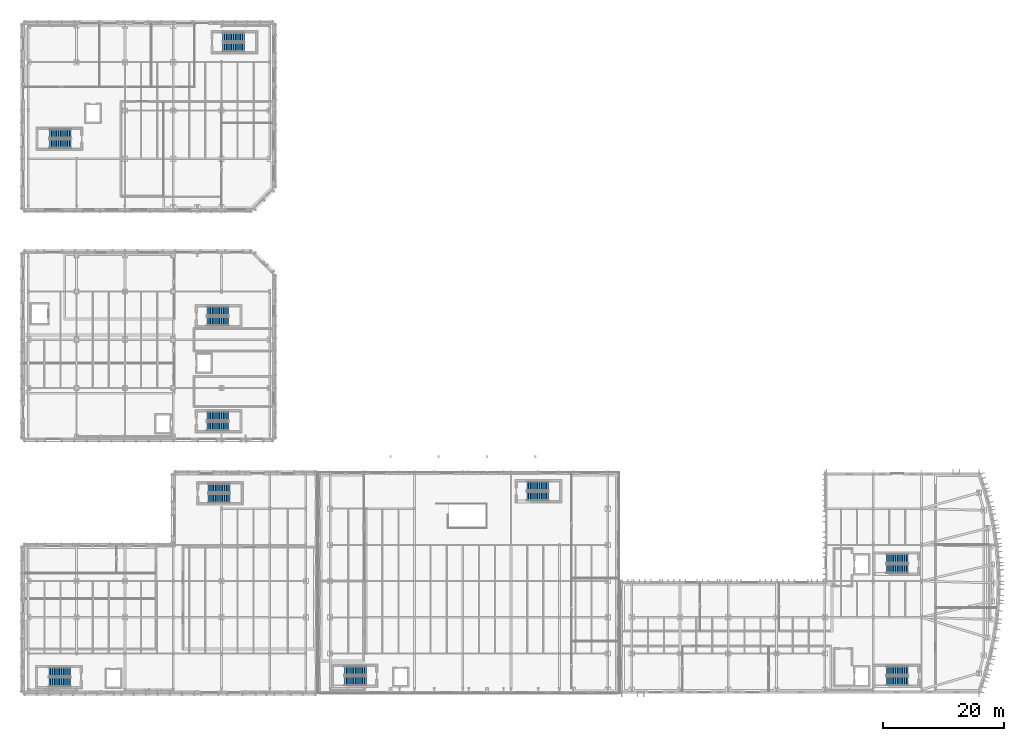
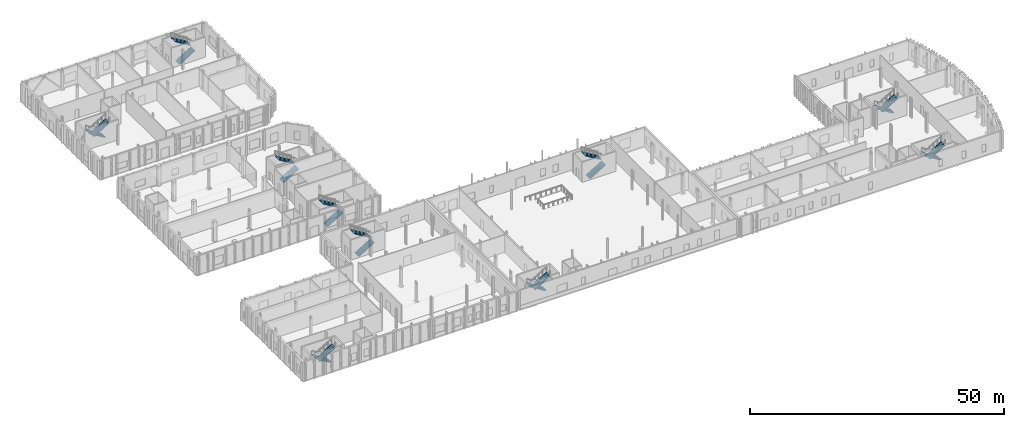
# One storey, part 35 of 60: 20 stair flights, 10 elements without a shape of their own.
"""IFC4 building model written with IfcOpenShell, lengths in metres."""

from ifc_helpers import new_model, si_unit, direction, frame, origin, place, context, subcontext, project, spatial, polyline, outline, extrude, material, type_object, element, aggregate, save


model = new_model("IFC4")

# Units and contexts
model_context = context("Model", 3, precision=1e-05, world=origin(), true_north=direction((0.0, 1.0)))
body_context = subcontext(model_context, "Body", "Model", "MODEL_VIEW")
ifc_project = project(units=[si_unit("LENGTHUNIT", "METRE"), si_unit("AREAUNIT", "SQUARE_METRE"), si_unit("VOLUMEUNIT", "CUBIC_METRE"), si_unit("PLANEANGLEUNIT", "RADIAN"), si_unit("MASSUNIT", "GRAM", prefix="KILO")], contexts=[model_context])

# Site, building, storey
site_placement = place(None, origin())
site = spatial("IfcSite", under=ifc_project, at=site_placement, CompositionType="ELEMENT")
building_placement = place(site_placement, origin())
building = spatial("IfcBuilding", under=site, at=building_placement, Name="Cymarion Research Institute", CompositionType="ELEMENT")
storey_placement = place(building_placement, origin())
storey = spatial("IfcBuildingStorey", under=building, at=storey_placement, Name="L00", CompositionType="ELEMENT", Elevation=0.0)

# Stair, stair flights
ifc_material = material(Name="Concrete C35/45", Category="concrete")
stair_type = type_object("IfcStairType", Name="REINFORCED CONCRETE DOGLEG STAIR STR-4800", PredefinedType="HALF_TURN_STAIR", material=ifc_material)
stair_1_placement = place(storey_placement, origin())
stair_1 = element("IfcStair", 1, at=stair_1_placement, inside=storey, type_object=stair_type, Name="L00 Core C1 Smoke-Proof Exit Stair ST1", PredefinedType="HALF_TURN_STAIR")
stair_flight_type = type_object("IfcStairFlightType", Name="REINFORCED CONCRETE STAIR FLIGHT SFL-4800", PredefinedType="STRAIGHT", material=ifc_material)
stair_flight_1_placement = place(storey_placement, frame((152.39990234375, 8.639892578125, 0.0), z_axis=(0.0, 0.0, 1.0), x_axis=(-1.0, 0.0, 0.0)))
stair_flight_1 = element("IfcStairFlight", 2, at=stair_flight_1_placement, type_object=stair_flight_type, Name="ST1 flight 1", NumberOfRisers=13, NumberOfTreads=12, PredefinedType="STRAIGHT", RiserHeight=0.184615385, TreadLength=0.3, context=body_context, shape_type="SweptSolid", body=[
    extrude(outline(polyline([(0.0, 0.0), (0.0, 0.1845703125), (0.300048828125, 0.1845703125), (0.300048828125, 0.369140625), (0.60009765625, 0.369140625), (0.60009765625, 0.553955078125), (0.89990234375, 0.553955078125), (0.89990234375, 0.738525390625), (1.199951171875, 0.738525390625), (1.199951171875, 0.923095703125), (1.5, 0.923095703125), (1.5, 1.107666015625), (1.800048828125, 1.107666015625), (1.800048828125, 1.292236328125), (2.10009765625, 1.292236328125), (2.10009765625, 1.476806640625), (2.39990234375, 1.476806640625), (2.39990234375, 1.66162109375), (2.699951171875, 1.66162109375), (2.699951171875, 1.84619140625), (3.0, 1.84619140625), (3.0, 2.03076171875), (3.300048828125, 2.03076171875), (3.300048828125, 2.21533203125), (3.60009765625, 2.21533203125), (3.60009765625, 2.39990234375), (3.60009765625, 2.039306640625), (0.2861328125, 0.0), (0.0, 0.0)])), frame((0.0, 0.760009765625, 0.0), z_axis=(0.0, -1.0, 0.0), x_axis=(1.0, 0.0, 0.0)), (0.0, 0.0, 1.0), 1.52001953125),
])
stair_flight_2_placement = place(storey_placement, frame((148.800048828125, 6.9599609375, 2.39990234375), z_axis=(0.0, 0.0, 1.0), x_axis=(1.0, 0.0, 0.0)))
stair_flight_2 = element("IfcStairFlight", 3, at=stair_flight_2_placement, type_object=stair_flight_type, Name="ST1 flight 2", NumberOfRisers=13, NumberOfTreads=12, PredefinedType="STRAIGHT", RiserHeight=0.184615385, TreadLength=0.3, context=body_context, shape_type="SweptSolid", body=[
    extrude(outline(polyline([(0.0, 0.0), (0.0, 0.1845703125), (0.300048828125, 0.1845703125), (0.300048828125, 0.369140625), (0.60009765625, 0.369140625), (0.60009765625, 0.553955078125), (0.89990234375, 0.553955078125), (0.89990234375, 0.738525390625), (1.199951171875, 0.738525390625), (1.199951171875, 0.923095703125), (1.5, 0.923095703125), (1.5, 1.107666015625), (1.800048828125, 1.107666015625), (1.800048828125, 1.292236328125), (2.10009765625, 1.292236328125), (2.10009765625, 1.476806640625), (2.39990234375, 1.476806640625), (2.39990234375, 1.66162109375), (2.699951171875, 1.66162109375), (2.699951171875, 1.84619140625), (3.0, 1.84619140625), (3.0, 2.03076171875), (3.300048828125, 2.03076171875), (3.300048828125, 2.21533203125), (3.60009765625, 2.21533203125), (3.60009765625, 2.39990234375), (3.60009765625, 2.039306640625), (0.2861328125, 0.0), (0.0, 0.0)])), frame((0.0, 0.760009765625, 0.0), z_axis=(0.0, -1.0, 0.0), x_axis=(1.0, 0.0, 0.0)), (0.0, 0.0, 1.0), 1.52001953125),
])
aggregate(stair_1, [stair_flight_1, stair_flight_2])

stair_2_placement = place(storey_placement, origin())
stair_2 = element("IfcStair", 4, at=stair_2_placement, inside=storey, type_object=stair_type, Name="L00 Core C2 Smoke-Proof Exit Stair ST2", PredefinedType="HALF_TURN_STAIR")
stair_flight_3_placement = place(storey_placement, frame((152.39990234375, 27.239990234375, 0.0), z_axis=(0.0, 0.0, 1.0), x_axis=(-1.0, 0.0, 0.0)))
stair_flight_3 = element("IfcStairFlight", 5, at=stair_flight_3_placement, type_object=stair_flight_type, Name="ST2 flight 1", NumberOfRisers=13, NumberOfTreads=12, PredefinedType="STRAIGHT", RiserHeight=0.184615385, TreadLength=0.3, context=body_context, shape_type="SweptSolid", body=[
    extrude(outline(polyline([(0.0, 0.0), (0.0, 0.1845703125), (0.300048828125, 0.1845703125), (0.300048828125, 0.369140625), (0.60009765625, 0.369140625), (0.60009765625, 0.553955078125), (0.89990234375, 0.553955078125), (0.89990234375, 0.738525390625), (1.199951171875, 0.738525390625), (1.199951171875, 0.923095703125), (1.5, 0.923095703125), (1.5, 1.107666015625), (1.800048828125, 1.107666015625), (1.800048828125, 1.292236328125), (2.10009765625, 1.292236328125), (2.10009765625, 1.476806640625), (2.39990234375, 1.476806640625), (2.39990234375, 1.66162109375), (2.699951171875, 1.66162109375), (2.699951171875, 1.84619140625), (3.0, 1.84619140625), (3.0, 2.03076171875), (3.300048828125, 2.03076171875), (3.300048828125, 2.21533203125), (3.60009765625, 2.21533203125), (3.60009765625, 2.39990234375), (3.60009765625, 2.039306640625), (0.2861328125, 0.0), (0.0, 0.0)])), frame((0.0, 0.760009765625, 0.0), z_axis=(0.0, -1.0, 0.0), x_axis=(1.0, 0.0, 0.0)), (0.0, 0.0, 1.0), 1.52001953125),
])
stair_flight_4_placement = place(storey_placement, frame((148.800048828125, 25.56005859375, 2.39990234375), z_axis=(0.0, 0.0, 1.0), x_axis=(1.0, 0.0, 0.0)))
stair_flight_4 = element("IfcStairFlight", 6, at=stair_flight_4_placement, type_object=stair_flight_type, Name="ST2 flight 2", NumberOfRisers=13, NumberOfTreads=12, PredefinedType="STRAIGHT", RiserHeight=0.184615385, TreadLength=0.3, context=body_context, shape_type="SweptSolid", body=[
    extrude(outline(polyline([(0.0, 0.0), (0.0, 0.1845703125), (0.300048828125, 0.1845703125), (0.300048828125, 0.369140625), (0.60009765625, 0.369140625), (0.60009765625, 0.553955078125), (0.89990234375, 0.553955078125), (0.89990234375, 0.738525390625), (1.199951171875, 0.738525390625), (1.199951171875, 0.923095703125), (1.5, 0.923095703125), (1.5, 1.107666015625), (1.800048828125, 1.107666015625), (1.800048828125, 1.292236328125), (2.10009765625, 1.292236328125), (2.10009765625, 1.476806640625), (2.39990234375, 1.476806640625), (2.39990234375, 1.66162109375), (2.699951171875, 1.66162109375), (2.699951171875, 1.84619140625), (3.0, 1.84619140625), (3.0, 2.03076171875), (3.300048828125, 2.03076171875), (3.300048828125, 2.21533203125), (3.60009765625, 2.21533203125), (3.60009765625, 2.39990234375), (3.60009765625, 2.039306640625), (0.2861328125, 0.0), (0.0, 0.0)])), frame((0.0, 0.760009765625, 0.0), z_axis=(0.0, -1.0, 0.0), x_axis=(1.0, 0.0, 0.0)), (0.0, 0.0, 1.0), 1.52001953125),
])
aggregate(stair_2, [stair_flight_3, stair_flight_4])

stair_3_placement = place(storey_placement, origin())
stair_3 = element("IfcStair", 7, at=stair_3_placement, inside=storey, type_object=stair_type, Name="L00 Core C3 Smoke-Proof Exit Stair ST3", PredefinedType="HALF_TURN_STAIR")
stair_flight_5_placement = place(storey_placement, frame((62.60009765625, 8.639892578125, 0.0), z_axis=(0.0, 0.0, 1.0), x_axis=(-1.0, 0.0, 0.0)))
stair_flight_5 = element("IfcStairFlight", 8, at=stair_flight_5_placement, type_object=stair_flight_type, Name="ST3 flight 1", NumberOfRisers=13, NumberOfTreads=12, PredefinedType="STRAIGHT", RiserHeight=0.184615385, TreadLength=0.3, context=body_context, shape_type="SweptSolid", body=[
    extrude(outline(polyline([(0.0, 0.0), (0.0, 0.1845703125), (0.300048828125, 0.1845703125), (0.300048828125, 0.369140625), (0.60009765625, 0.369140625), (0.60009765625, 0.553955078125), (0.89990234375, 0.553955078125), (0.89990234375, 0.738525390625), (1.199951171875, 0.738525390625), (1.199951171875, 0.923095703125), (1.5, 0.923095703125), (1.5, 1.107666015625), (1.800048828125, 1.107666015625), (1.800048828125, 1.292236328125), (2.10009765625, 1.292236328125), (2.10009765625, 1.476806640625), (2.39990234375, 1.476806640625), (2.39990234375, 1.66162109375), (2.699951171875, 1.66162109375), (2.699951171875, 1.84619140625), (3.0, 1.84619140625), (3.0, 2.03076171875), (3.300048828125, 2.03076171875), (3.300048828125, 2.21533203125), (3.60009765625, 2.21533203125), (3.60009765625, 2.39990234375), (3.60009765625, 2.039306640625), (0.2861328125, 0.0), (0.0, 0.0)])), frame((0.0, 0.760009765625, 0.0), z_axis=(0.0, -1.0, 0.0), x_axis=(1.0, 0.0, 0.0)), (0.0, 0.0, 1.0), 1.52001953125),
])
stair_flight_6_placement = place(storey_placement, frame((59.0, 6.9599609375, 2.39990234375), z_axis=(0.0, 0.0, 1.0), x_axis=(1.0, 0.0, 0.0)))
stair_flight_6 = element("IfcStairFlight", 9, at=stair_flight_6_placement, type_object=stair_flight_type, Name="ST3 flight 2", NumberOfRisers=13, NumberOfTreads=12, PredefinedType="STRAIGHT", RiserHeight=0.184615385, TreadLength=0.3, context=body_context, shape_type="SweptSolid", body=[
    extrude(outline(polyline([(0.0, 0.0), (0.0, 0.1845703125), (0.300048828125, 0.1845703125), (0.300048828125, 0.369140625), (0.60009765625, 0.369140625), (0.60009765625, 0.553955078125), (0.89990234375, 0.553955078125), (0.89990234375, 0.738525390625), (1.199951171875, 0.738525390625), (1.199951171875, 0.923095703125), (1.5, 0.923095703125), (1.5, 1.107666015625), (1.800048828125, 1.107666015625), (1.800048828125, 1.292236328125), (2.10009765625, 1.292236328125), (2.10009765625, 1.476806640625), (2.39990234375, 1.476806640625), (2.39990234375, 1.66162109375), (2.699951171875, 1.66162109375), (2.699951171875, 1.84619140625), (3.0, 1.84619140625), (3.0, 2.03076171875), (3.300048828125, 2.03076171875), (3.300048828125, 2.21533203125), (3.60009765625, 2.21533203125), (3.60009765625, 2.39990234375), (3.60009765625, 2.039306640625), (0.2861328125, 0.0), (0.0, 0.0)])), frame((0.0, 0.760009765625, 0.0), z_axis=(0.0, -1.0, 0.0), x_axis=(1.0, 0.0, 0.0)), (0.0, 0.0, 1.0), 1.52001953125),
])
aggregate(stair_3, [stair_flight_5, stair_flight_6])

stair_4_placement = place(storey_placement, origin())
stair_4 = element("IfcStair", 10, at=stair_4_placement, inside=storey, type_object=stair_type, Name="L00 Core C4 Smoke-Proof Exit Stair ST4", PredefinedType="HALF_TURN_STAIR")
stair_flight_7_placement = place(storey_placement, frame((89.199951171875, 37.56005859375, 0.0), z_axis=(0.0, 0.0, 1.0), x_axis=(1.0, 0.0, 0.0)))
stair_flight_7 = element("IfcStairFlight", 11, at=stair_flight_7_placement, type_object=stair_flight_type, Name="ST4 flight 1", NumberOfRisers=13, NumberOfTreads=12, PredefinedType="STRAIGHT", RiserHeight=0.184615385, TreadLength=0.3, context=body_context, shape_type="SweptSolid", body=[
    extrude(outline(polyline([(0.0, 0.0), (0.0, 0.1845703125), (0.300048828125, 0.1845703125), (0.300048828125, 0.369140625), (0.60009765625, 0.369140625), (0.60009765625, 0.553955078125), (0.89990234375, 0.553955078125), (0.89990234375, 0.738525390625), (1.199951171875, 0.738525390625), (1.199951171875, 0.923095703125), (1.5, 0.923095703125), (1.5, 1.107666015625), (1.800048828125, 1.107666015625), (1.800048828125, 1.292236328125), (2.10009765625, 1.292236328125), (2.10009765625, 1.476806640625), (2.39990234375, 1.476806640625), (2.39990234375, 1.66162109375), (2.699951171875, 1.66162109375), (2.699951171875, 1.84619140625), (3.0, 1.84619140625), (3.0, 2.03076171875), (3.300048828125, 2.03076171875), (3.300048828125, 2.21533203125), (3.60009765625, 2.21533203125), (3.60009765625, 2.39990234375), (3.60009765625, 2.039306640625), (0.2861328125, 0.0), (0.0, 0.0)])), frame((0.0, 0.760009765625, 0.0), z_axis=(0.0, -1.0, 0.0), x_axis=(1.0, 0.0, 0.0)), (0.0, 0.0, 1.0), 1.52001953125),
])
stair_flight_8_placement = place(storey_placement, frame((92.800048828125, 39.239990234375, 2.39990234375), z_axis=(0.0, 0.0, 1.0), x_axis=(-1.0, 0.0, 0.0)))
stair_flight_8 = element("IfcStairFlight", 12, at=stair_flight_8_placement, type_object=stair_flight_type, Name="ST4 flight 2", NumberOfRisers=13, NumberOfTreads=12, PredefinedType="STRAIGHT", RiserHeight=0.184615385, TreadLength=0.3, context=body_context, shape_type="SweptSolid", body=[
    extrude(outline(polyline([(0.0, 0.0), (0.0, 0.1845703125), (0.300048828125, 0.1845703125), (0.300048828125, 0.369140625), (0.60009765625, 0.369140625), (0.60009765625, 0.553955078125), (0.89990234375, 0.553955078125), (0.89990234375, 0.738525390625), (1.199951171875, 0.738525390625), (1.199951171875, 0.923095703125), (1.5, 0.923095703125), (1.5, 1.107666015625), (1.800048828125, 1.107666015625), (1.800048828125, 1.292236328125), (2.10009765625, 1.292236328125), (2.10009765625, 1.476806640625), (2.39990234375, 1.476806640625), (2.39990234375, 1.66162109375), (2.699951171875, 1.66162109375), (2.699951171875, 1.84619140625), (3.0, 1.84619140625), (3.0, 2.03076171875), (3.300048828125, 2.03076171875), (3.300048828125, 2.21533203125), (3.60009765625, 2.21533203125), (3.60009765625, 2.39990234375), (3.60009765625, 2.039306640625), (0.2861328125, 0.0), (0.0, 0.0)])), frame((0.0, 0.760009765625, 0.0), z_axis=(0.0, -1.0, 0.0), x_axis=(1.0, 0.0, 0.0)), (0.0, 0.0, 1.0), 1.52001953125),
])
aggregate(stair_4, [stair_flight_7, stair_flight_8])

stair_5_placement = place(storey_placement, origin())
stair_5 = element("IfcStair", 13, at=stair_5_placement, inside=storey, type_object=stair_type, Name="L00 Core C5 Smoke-Proof Exit Stair ST5", PredefinedType="HALF_TURN_STAIR")
stair_flight_9_placement = place(storey_placement, frame((13.60009765625, 8.43994140625, 0.0), z_axis=(0.0, 0.0, 1.0), x_axis=(-1.0, 0.0, 0.0)))
stair_flight_9 = element("IfcStairFlight", 14, at=stair_flight_9_placement, type_object=stair_flight_type, Name="ST5 flight 1", NumberOfRisers=13, NumberOfTreads=12, PredefinedType="STRAIGHT", RiserHeight=0.184615385, TreadLength=0.3, context=body_context, shape_type="SweptSolid", body=[
    extrude(outline(polyline([(0.0, 0.0), (0.0, 0.1845703125), (0.300048828125, 0.1845703125), (0.300048828125, 0.369140625), (0.60009765625, 0.369140625), (0.60009765625, 0.553955078125), (0.89990234375, 0.553955078125), (0.89990234375, 0.738525390625), (1.199951171875, 0.738525390625), (1.199951171875, 0.923095703125), (1.5, 0.923095703125), (1.5, 1.107666015625), (1.800048828125, 1.107666015625), (1.800048828125, 1.292236328125), (2.10009765625, 1.292236328125), (2.10009765625, 1.476806640625), (2.39990234375, 1.476806640625), (2.39990234375, 1.66162109375), (2.699951171875, 1.66162109375), (2.699951171875, 1.84619140625), (3.0, 1.84619140625), (3.0, 2.03076171875), (3.300048828125, 2.03076171875), (3.300048828125, 2.21533203125), (3.60009765625, 2.21533203125), (3.60009765625, 2.39990234375), (3.60009765625, 2.039306640625), (0.2861328125, 0.0), (0.0, 0.0)])), frame((0.0, 0.760009765625, 0.0), z_axis=(0.0, -1.0, 0.0), x_axis=(1.0, 0.0, 0.0)), (0.0, 0.0, 1.0), 1.52001953125),
])
stair_flight_10_placement = place(storey_placement, frame((10.0, 6.760009765625, 2.39990234375), z_axis=(0.0, 0.0, 1.0), x_axis=(1.0, 0.0, 0.0)))
stair_flight_10 = element("IfcStairFlight", 15, at=stair_flight_10_placement, type_object=stair_flight_type, Name="ST5 flight 2", NumberOfRisers=13, NumberOfTreads=12, PredefinedType="STRAIGHT", RiserHeight=0.184615385, TreadLength=0.3, context=body_context, shape_type="SweptSolid", body=[
    extrude(outline(polyline([(0.0, 0.0), (0.0, 0.1845703125), (0.300048828125, 0.1845703125), (0.300048828125, 0.369140625), (0.60009765625, 0.369140625), (0.60009765625, 0.553955078125), (0.89990234375, 0.553955078125), (0.89990234375, 0.738525390625), (1.199951171875, 0.738525390625), (1.199951171875, 0.923095703125), (1.5, 0.923095703125), (1.5, 1.107666015625), (1.800048828125, 1.107666015625), (1.800048828125, 1.292236328125), (2.10009765625, 1.292236328125), (2.10009765625, 1.476806640625), (2.39990234375, 1.476806640625), (2.39990234375, 1.66162109375), (2.699951171875, 1.66162109375), (2.699951171875, 1.84619140625), (3.0, 1.84619140625), (3.0, 2.03076171875), (3.300048828125, 2.03076171875), (3.300048828125, 2.21533203125), (3.60009765625, 2.21533203125), (3.60009765625, 2.39990234375), (3.60009765625, 2.039306640625), (0.2861328125, 0.0), (0.0, 0.0)])), frame((0.0, 0.760009765625, 0.0), z_axis=(0.0, -1.0, 0.0), x_axis=(1.0, 0.0, 0.0)), (0.0, 0.0, 1.0), 1.52001953125),
])
aggregate(stair_5, [stair_flight_9, stair_flight_10])

stair_6_placement = place(storey_placement, origin())
stair_6 = element("IfcStair", 16, at=stair_6_placement, inside=storey, type_object=stair_type, Name="L00 Core C6 Smoke-Proof Exit Stair ST6", PredefinedType="HALF_TURN_STAIR")
stair_flight_11_placement = place(storey_placement, frame((36.39990234375, 37.2099609375, 0.0), z_axis=(0.0, 0.0, 1.0), x_axis=(1.0, 0.0, 0.0)))
stair_flight_11 = element("IfcStairFlight", 17, at=stair_flight_11_placement, type_object=stair_flight_type, Name="ST6 flight 1", NumberOfRisers=13, NumberOfTreads=12, PredefinedType="STRAIGHT", RiserHeight=0.184615385, TreadLength=0.3, context=body_context, shape_type="SweptSolid", body=[
    extrude(outline(polyline([(0.0, 0.0), (0.0, 0.1845703125), (0.300048828125, 0.1845703125), (0.300048828125, 0.369140625), (0.60009765625, 0.369140625), (0.60009765625, 0.553955078125), (0.89990234375, 0.553955078125), (0.89990234375, 0.738525390625), (1.199951171875, 0.738525390625), (1.199951171875, 0.923095703125), (1.5, 0.923095703125), (1.5, 1.107666015625), (1.800048828125, 1.107666015625), (1.800048828125, 1.292236328125), (2.10009765625, 1.292236328125), (2.10009765625, 1.476806640625), (2.39990234375, 1.476806640625), (2.39990234375, 1.66162109375), (2.699951171875, 1.66162109375), (2.699951171875, 1.84619140625), (3.0, 1.84619140625), (3.0, 2.03076171875), (3.300048828125, 2.03076171875), (3.300048828125, 2.21533203125), (3.60009765625, 2.21533203125), (3.60009765625, 2.39990234375), (3.60009765625, 2.039306640625), (0.2861328125, 0.0), (0.0, 0.0)])), frame((0.0, 0.760009765625, 0.0), z_axis=(0.0, -1.0, 0.0), x_axis=(1.0, 0.0, 0.0)), (0.0, 0.0, 1.0), 1.52001953125),
])
stair_flight_12_placement = place(storey_placement, frame((40.0, 38.889892578125, 2.39990234375), z_axis=(0.0, 0.0, 1.0), x_axis=(-1.0, 0.0, 0.0)))
stair_flight_12 = element("IfcStairFlight", 18, at=stair_flight_12_placement, type_object=stair_flight_type, Name="ST6 flight 2", NumberOfRisers=13, NumberOfTreads=12, PredefinedType="STRAIGHT", RiserHeight=0.184615385, TreadLength=0.3, context=body_context, shape_type="SweptSolid", body=[
    extrude(outline(polyline([(0.0, 0.0), (0.0, 0.1845703125), (0.300048828125, 0.1845703125), (0.300048828125, 0.369140625), (0.60009765625, 0.369140625), (0.60009765625, 0.553955078125), (0.89990234375, 0.553955078125), (0.89990234375, 0.738525390625), (1.199951171875, 0.738525390625), (1.199951171875, 0.923095703125), (1.5, 0.923095703125), (1.5, 1.107666015625), (1.800048828125, 1.107666015625), (1.800048828125, 1.292236328125), (2.10009765625, 1.292236328125), (2.10009765625, 1.476806640625), (2.39990234375, 1.476806640625), (2.39990234375, 1.66162109375), (2.699951171875, 1.66162109375), (2.699951171875, 1.84619140625), (3.0, 1.84619140625), (3.0, 2.03076171875), (3.300048828125, 2.03076171875), (3.300048828125, 2.21533203125), (3.60009765625, 2.21533203125), (3.60009765625, 2.39990234375), (3.60009765625, 2.039306640625), (0.2861328125, 0.0), (0.0, 0.0)])), frame((0.0, 0.760009765625, 0.0), z_axis=(0.0, -1.0, 0.0), x_axis=(1.0, 0.0, 0.0)), (0.0, 0.0, 1.0), 1.52001953125),
])
aggregate(stair_6, [stair_flight_11, stair_flight_12])

stair_7_placement = place(storey_placement, origin())
stair_7 = element("IfcStair", 19, at=stair_7_placement, inside=storey, type_object=stair_type, Name="L00 Core C7 Smoke-Proof Exit Stair ST7", PredefinedType="HALF_TURN_STAIR")
stair_flight_13_placement = place(storey_placement, frame((36.199951171875, 49.159912109375, 0.0), z_axis=(0.0, 0.0, 1.0), x_axis=(1.0, 0.0, 0.0)))
stair_flight_13 = element("IfcStairFlight", 20, at=stair_flight_13_placement, type_object=stair_flight_type, Name="ST7 flight 1", NumberOfRisers=13, NumberOfTreads=12, PredefinedType="STRAIGHT", RiserHeight=0.184615385, TreadLength=0.3, context=body_context, shape_type="SweptSolid", body=[
    extrude(outline(polyline([(0.0, 0.0), (0.0, 0.1845703125), (0.300048828125, 0.1845703125), (0.300048828125, 0.369140625), (0.60009765625, 0.369140625), (0.60009765625, 0.553955078125), (0.89990234375, 0.553955078125), (0.89990234375, 0.738525390625), (1.199951171875, 0.738525390625), (1.199951171875, 0.923095703125), (1.5, 0.923095703125), (1.5, 1.107666015625), (1.800048828125, 1.107666015625), (1.800048828125, 1.292236328125), (2.10009765625, 1.292236328125), (2.10009765625, 1.476806640625), (2.39990234375, 1.476806640625), (2.39990234375, 1.66162109375), (2.699951171875, 1.66162109375), (2.699951171875, 1.84619140625), (3.0, 1.84619140625), (3.0, 2.03076171875), (3.300048828125, 2.03076171875), (3.300048828125, 2.21533203125), (3.60009765625, 2.21533203125), (3.60009765625, 2.39990234375), (3.60009765625, 2.039306640625), (0.2861328125, 0.0), (0.0, 0.0)])), frame((0.0, 0.760009765625, 0.0), z_axis=(0.0, -1.0, 0.0), x_axis=(1.0, 0.0, 0.0)), (0.0, 0.0, 1.0), 1.52001953125),
])
stair_flight_14_placement = place(storey_placement, frame((39.800048828125, 50.840087890625, 2.39990234375), z_axis=(0.0, 0.0, 1.0), x_axis=(-1.0, 0.0, 0.0)))
stair_flight_14 = element("IfcStairFlight", 21, at=stair_flight_14_placement, type_object=stair_flight_type, Name="ST7 flight 2", NumberOfRisers=13, NumberOfTreads=12, PredefinedType="STRAIGHT", RiserHeight=0.184615385, TreadLength=0.3, context=body_context, shape_type="SweptSolid", body=[
    extrude(outline(polyline([(0.0, 0.0), (0.0, 0.1845703125), (0.300048828125, 0.1845703125), (0.300048828125, 0.369140625), (0.60009765625, 0.369140625), (0.60009765625, 0.553955078125), (0.89990234375, 0.553955078125), (0.89990234375, 0.738525390625), (1.199951171875, 0.738525390625), (1.199951171875, 0.923095703125), (1.5, 0.923095703125), (1.5, 1.107666015625), (1.800048828125, 1.107666015625), (1.800048828125, 1.292236328125), (2.10009765625, 1.292236328125), (2.10009765625, 1.476806640625), (2.39990234375, 1.476806640625), (2.39990234375, 1.66162109375), (2.699951171875, 1.66162109375), (2.699951171875, 1.84619140625), (3.0, 1.84619140625), (3.0, 2.03076171875), (3.300048828125, 2.03076171875), (3.300048828125, 2.21533203125), (3.60009765625, 2.21533203125), (3.60009765625, 2.39990234375), (3.60009765625, 2.039306640625), (0.2861328125, 0.0), (0.0, 0.0)])), frame((0.0, 0.760009765625, 0.0), z_axis=(0.0, -1.0, 0.0), x_axis=(1.0, 0.0, 0.0)), (0.0, 0.0, 1.0), 1.52001953125),
])
aggregate(stair_7, [stair_flight_13, stair_flight_14])

stair_8_placement = place(storey_placement, origin())
stair_8 = element("IfcStair", 22, at=stair_8_placement, inside=storey, type_object=stair_type, Name="L00 Core C8 Smoke-Proof Exit Stair ST8", PredefinedType="HALF_TURN_STAIR")
stair_flight_15_placement = place(storey_placement, frame((36.199951171875, 66.56005859375, 0.0), z_axis=(0.0, 0.0, 1.0), x_axis=(1.0, 0.0, 0.0)))
stair_flight_15 = element("IfcStairFlight", 23, at=stair_flight_15_placement, type_object=stair_flight_type, Name="ST8 flight 1", NumberOfRisers=13, NumberOfTreads=12, PredefinedType="STRAIGHT", RiserHeight=0.184615385, TreadLength=0.3, context=body_context, shape_type="SweptSolid", body=[
    extrude(outline(polyline([(0.0, 0.0), (0.0, 0.1845703125), (0.300048828125, 0.1845703125), (0.300048828125, 0.369140625), (0.60009765625, 0.369140625), (0.60009765625, 0.553955078125), (0.89990234375, 0.553955078125), (0.89990234375, 0.738525390625), (1.199951171875, 0.738525390625), (1.199951171875, 0.923095703125), (1.5, 0.923095703125), (1.5, 1.107666015625), (1.800048828125, 1.107666015625), (1.800048828125, 1.292236328125), (2.10009765625, 1.292236328125), (2.10009765625, 1.476806640625), (2.39990234375, 1.476806640625), (2.39990234375, 1.66162109375), (2.699951171875, 1.66162109375), (2.699951171875, 1.84619140625), (3.0, 1.84619140625), (3.0, 2.03076171875), (3.300048828125, 2.03076171875), (3.300048828125, 2.21533203125), (3.60009765625, 2.21533203125), (3.60009765625, 2.39990234375), (3.60009765625, 2.039306640625), (0.2861328125, 0.0), (0.0, 0.0)])), frame((0.0, 0.760009765625, 0.0), z_axis=(0.0, -1.0, 0.0), x_axis=(1.0, 0.0, 0.0)), (0.0, 0.0, 1.0), 1.52001953125),
])
stair_flight_16_placement = place(storey_placement, frame((39.800048828125, 68.239990234375, 2.39990234375), z_axis=(0.0, 0.0, 1.0), x_axis=(-1.0, 0.0, 0.0)))
stair_flight_16 = element("IfcStairFlight", 24, at=stair_flight_16_placement, type_object=stair_flight_type, Name="ST8 flight 2", NumberOfRisers=13, NumberOfTreads=12, PredefinedType="STRAIGHT", RiserHeight=0.184615385, TreadLength=0.3, context=body_context, shape_type="SweptSolid", body=[
    extrude(outline(polyline([(0.0, 0.0), (0.0, 0.1845703125), (0.300048828125, 0.1845703125), (0.300048828125, 0.369140625), (0.60009765625, 0.369140625), (0.60009765625, 0.553955078125), (0.89990234375, 0.553955078125), (0.89990234375, 0.738525390625), (1.199951171875, 0.738525390625), (1.199951171875, 0.923095703125), (1.5, 0.923095703125), (1.5, 1.107666015625), (1.800048828125, 1.107666015625), (1.800048828125, 1.292236328125), (2.10009765625, 1.292236328125), (2.10009765625, 1.476806640625), (2.39990234375, 1.476806640625), (2.39990234375, 1.66162109375), (2.699951171875, 1.66162109375), (2.699951171875, 1.84619140625), (3.0, 1.84619140625), (3.0, 2.03076171875), (3.300048828125, 2.03076171875), (3.300048828125, 2.21533203125), (3.60009765625, 2.21533203125), (3.60009765625, 2.39990234375), (3.60009765625, 2.039306640625), (0.2861328125, 0.0), (0.0, 0.0)])), frame((0.0, 0.760009765625, 0.0), z_axis=(0.0, -1.0, 0.0), x_axis=(1.0, 0.0, 0.0)), (0.0, 0.0, 1.0), 1.52001953125),
])
aggregate(stair_8, [stair_flight_15, stair_flight_16])

stair_9_placement = place(storey_placement, origin())
stair_9 = element("IfcStair", 25, at=stair_9_placement, inside=storey, type_object=stair_type, Name="L00 Core C9 Smoke-Proof Exit Stair ST9", PredefinedType="HALF_TURN_STAIR")
stair_flight_17_placement = place(storey_placement, frame((13.699951171875, 97.639892578125, 0.0), z_axis=(0.0, 0.0, 1.0), x_axis=(-1.0, 0.0, 0.0)))
stair_flight_17 = element("IfcStairFlight", 26, at=stair_flight_17_placement, type_object=stair_flight_type, Name="ST9 flight 1", NumberOfRisers=13, NumberOfTreads=12, PredefinedType="STRAIGHT", RiserHeight=0.184615385, TreadLength=0.3, context=body_context, shape_type="SweptSolid", body=[
    extrude(outline(polyline([(0.0, 0.0), (0.0, 0.1845703125), (0.300048828125, 0.1845703125), (0.300048828125, 0.369140625), (0.60009765625, 0.369140625), (0.60009765625, 0.553955078125), (0.89990234375, 0.553955078125), (0.89990234375, 0.738525390625), (1.199951171875, 0.738525390625), (1.199951171875, 0.923095703125), (1.5, 0.923095703125), (1.5, 1.107666015625), (1.800048828125, 1.107666015625), (1.800048828125, 1.292236328125), (2.10009765625, 1.292236328125), (2.10009765625, 1.476806640625), (2.39990234375, 1.476806640625), (2.39990234375, 1.66162109375), (2.699951171875, 1.66162109375), (2.699951171875, 1.84619140625), (3.0, 1.84619140625), (3.0, 2.03076171875), (3.300048828125, 2.03076171875), (3.300048828125, 2.21533203125), (3.60009765625, 2.21533203125), (3.60009765625, 2.39990234375), (3.60009765625, 2.039306640625), (0.2861328125, 0.0), (0.0, 0.0)])), frame((0.0, 0.760009765625, 0.0), z_axis=(0.0, -1.0, 0.0), x_axis=(1.0, 0.0, 0.0)), (0.0, 0.0, 1.0), 1.52001953125),
])
stair_flight_18_placement = place(storey_placement, frame((10.10009765625, 95.9599609375, 2.39990234375), z_axis=(0.0, 0.0, 1.0), x_axis=(1.0, 0.0, 0.0)))
stair_flight_18 = element("IfcStairFlight", 27, at=stair_flight_18_placement, type_object=stair_flight_type, Name="ST9 flight 2", NumberOfRisers=13, NumberOfTreads=12, PredefinedType="STRAIGHT", RiserHeight=0.184615385, TreadLength=0.3, context=body_context, shape_type="SweptSolid", body=[
    extrude(outline(polyline([(0.0, 0.0), (0.0, 0.1845703125), (0.300048828125, 0.1845703125), (0.300048828125, 0.369140625), (0.60009765625, 0.369140625), (0.60009765625, 0.553955078125), (0.89990234375, 0.553955078125), (0.89990234375, 0.738525390625), (1.199951171875, 0.738525390625), (1.199951171875, 0.923095703125), (1.5, 0.923095703125), (1.5, 1.107666015625), (1.800048828125, 1.107666015625), (1.800048828125, 1.292236328125), (2.10009765625, 1.292236328125), (2.10009765625, 1.476806640625), (2.39990234375, 1.476806640625), (2.39990234375, 1.66162109375), (2.699951171875, 1.66162109375), (2.699951171875, 1.84619140625), (3.0, 1.84619140625), (3.0, 2.03076171875), (3.300048828125, 2.03076171875), (3.300048828125, 2.21533203125), (3.60009765625, 2.21533203125), (3.60009765625, 2.39990234375), (3.60009765625, 2.039306640625), (0.2861328125, 0.0), (0.0, 0.0)])), frame((0.0, 0.760009765625, 0.0), z_axis=(0.0, -1.0, 0.0), x_axis=(1.0, 0.0, 0.0)), (0.0, 0.0, 1.0), 1.52001953125),
])
aggregate(stair_9, [stair_flight_17, stair_flight_18])

stair_10_placement = place(storey_placement, origin())
stair_10 = element("IfcStair", 28, at=stair_10_placement, inside=storey, type_object=stair_type, Name="L00 Core C10 Smoke-Proof Exit Stair ST10", PredefinedType="HALF_TURN_STAIR")
stair_flight_19_placement = place(storey_placement, frame((38.800048828125, 111.9599609375, 0.0), z_axis=(0.0, 0.0, 1.0), x_axis=(1.0, 0.0, 0.0)))
stair_flight_19 = element("IfcStairFlight", 29, at=stair_flight_19_placement, type_object=stair_flight_type, Name="ST10 flight 1", NumberOfRisers=13, NumberOfTreads=12, PredefinedType="STRAIGHT", RiserHeight=0.184615385, TreadLength=0.3, context=body_context, shape_type="SweptSolid", body=[
    extrude(outline(polyline([(0.0, 0.0), (0.0, 0.1845703125), (0.300048828125, 0.1845703125), (0.300048828125, 0.369140625), (0.60009765625, 0.369140625), (0.60009765625, 0.553955078125), (0.89990234375, 0.553955078125), (0.89990234375, 0.738525390625), (1.199951171875, 0.738525390625), (1.199951171875, 0.923095703125), (1.5, 0.923095703125), (1.5, 1.107666015625), (1.800048828125, 1.107666015625), (1.800048828125, 1.292236328125), (2.10009765625, 1.292236328125), (2.10009765625, 1.476806640625), (2.39990234375, 1.476806640625), (2.39990234375, 1.66162109375), (2.699951171875, 1.66162109375), (2.699951171875, 1.84619140625), (3.0, 1.84619140625), (3.0, 2.03076171875), (3.300048828125, 2.03076171875), (3.300048828125, 2.21533203125), (3.60009765625, 2.21533203125), (3.60009765625, 2.39990234375), (3.60009765625, 2.039306640625), (0.2861328125, 0.0), (0.0, 0.0)])), frame((0.0, 0.760009765625, 0.0), z_axis=(0.0, -1.0, 0.0), x_axis=(1.0, 0.0, 0.0)), (0.0, 0.0, 1.0), 1.52001953125),
])
stair_flight_20_placement = place(storey_placement, frame((42.39990234375, 113.639892578125, 2.39990234375), z_axis=(0.0, 0.0, 1.0), x_axis=(-1.0, 0.0, 0.0)))
stair_flight_20 = element("IfcStairFlight", 30, at=stair_flight_20_placement, type_object=stair_flight_type, Name="ST10 flight 2", NumberOfRisers=13, NumberOfTreads=12, PredefinedType="STRAIGHT", RiserHeight=0.184615385, TreadLength=0.3, context=body_context, shape_type="SweptSolid", body=[
    extrude(outline(polyline([(0.0, 0.0), (0.0, 0.1845703125), (0.300048828125, 0.1845703125), (0.300048828125, 0.369140625), (0.60009765625, 0.369140625), (0.60009765625, 0.553955078125), (0.89990234375, 0.553955078125), (0.89990234375, 0.738525390625), (1.199951171875, 0.738525390625), (1.199951171875, 0.923095703125), (1.5, 0.923095703125), (1.5, 1.107666015625), (1.800048828125, 1.107666015625), (1.800048828125, 1.292236328125), (2.10009765625, 1.292236328125), (2.10009765625, 1.476806640625), (2.39990234375, 1.476806640625), (2.39990234375, 1.66162109375), (2.699951171875, 1.66162109375), (2.699951171875, 1.84619140625), (3.0, 1.84619140625), (3.0, 2.03076171875), (3.300048828125, 2.03076171875), (3.300048828125, 2.21533203125), (3.60009765625, 2.21533203125), (3.60009765625, 2.39990234375), (3.60009765625, 2.039306640625), (0.2861328125, 0.0), (0.0, 0.0)])), frame((0.0, 0.760009765625, 0.0), z_axis=(0.0, -1.0, 0.0), x_axis=(1.0, 0.0, 0.0)), (0.0, 0.0, 1.0), 1.52001953125),
])
aggregate(stair_10, [stair_flight_19, stair_flight_20])

save(model, "model.ifc")
